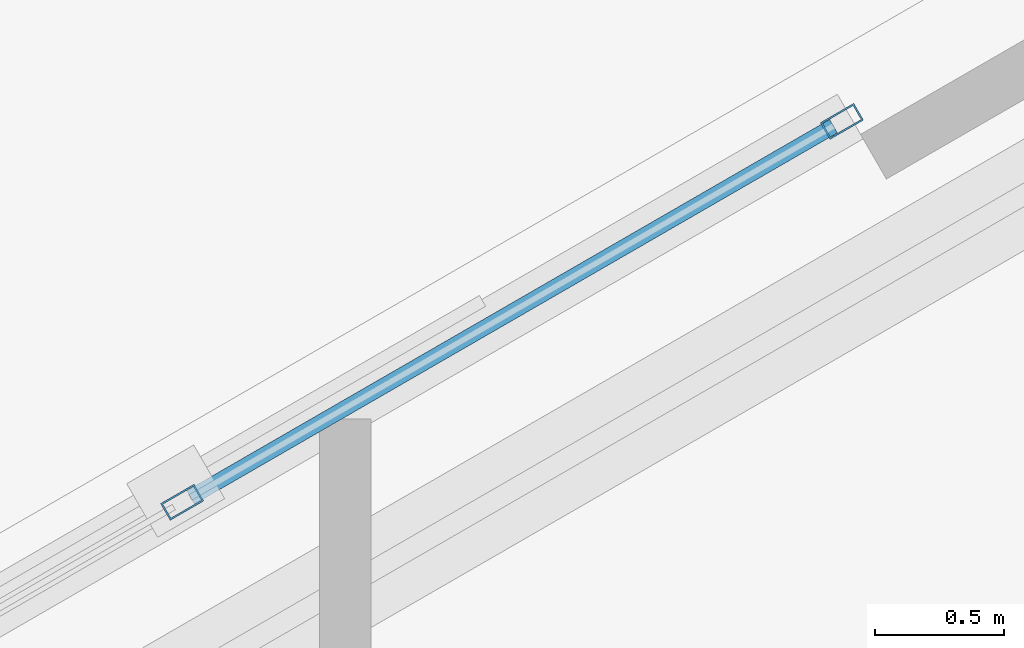
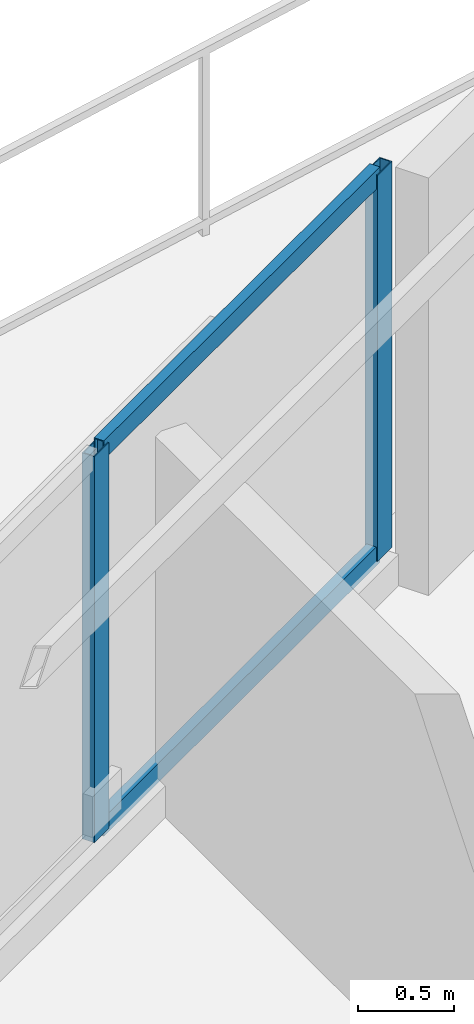
# One storey, part 9 of 18: 4 members, 1 element without a shape of its own.
"""IFC4 building model written with IfcOpenShell, lengths in metres."""

import ifcopenshell
import ifcopenshell.guid

model = None  # the IFC model being written
_history = None  # IfcOwnerHistory: only IFC2X3 demands one
_inside = {}  # id of a spatial element -> (the spatial element, [elements in it])
_under = {}  # id of a project, library or spatial element -> (it, [spatial elements below it])
_declared = {}  # id of a project -> (the project, [libraries it declares])
_typed = {}  # id of a type object -> (the type object, [elements of that type])
_made_of = {}  # id of a material, layer set ... -> (it, [elements and type objects made of it])


def new_model(schema):
    """Start an empty IFC model of exactly this schema.

    Asked for "IFC4X3", IfcOpenShell would pick the latest addendum, in which some entities
    have other attributes; the version numbers below select the first issue.
    IFC2X3 requires an IfcOwnerHistory on every rooted entity: one is made here for all.
    """
    global model, _history
    if schema == "IFC4X3":
        model = ifcopenshell.file(schema_version=(4, 3, 0, 0))
    else:
        model = ifcopenshell.file(schema=schema)
    _inside.clear()
    _under.clear()
    _declared.clear()
    _typed.clear()
    _made_of.clear()
    _history = None
    if model.schema == "IFC2X3":
        org = make("IfcOrganization", Name="unknown")
        user = make(
            "IfcPersonAndOrganization",
            ThePerson=make("IfcPerson", FamilyName="unknown"),
            TheOrganization=org,
        )
        app = make(
            "IfcApplication",
            ApplicationDeveloper=org,
            Version="unknown",
            ApplicationFullName="unknown",
            ApplicationIdentifier="unknown",
        )
        _history = make(
            "IfcOwnerHistory",
            OwningUser=user,
            OwningApplication=app,
            ChangeAction="ADDED",
            CreationDate=0,
        )
    return model


def make(cls, **values):
    """One entity of the class cls with the attributes given. An attribute that is None is left unset."""
    return model.create_entity(
        cls, **{name: value for name, value in values.items() if value is not None}
    )


def rooted(cls, **values):
    """An entity with a GlobalId (a new one), such as an element, a storey or a relation."""
    return make(cls, GlobalId=ifcopenshell.guid.new(), OwnerHistory=_history, **values)


def si_unit(unit_type, name, prefix=None):
    """IfcSIUnit, for example si_unit("LENGTHUNIT", "METRE", prefix="MILLI")."""
    return make("IfcSIUnit", UnitType=unit_type, Prefix=prefix, Name=name)


def assignment(units):
    """IfcUnitAssignment: the units of a project."""
    return None if units is None else make("IfcUnitAssignment", Units=units)


def point(xyz):
    """IfcCartesianPoint."""
    return None if xyz is None else make("IfcCartesianPoint", Coordinates=xyz)


def direction(xyz):
    """IfcDirection."""
    return None if xyz is None else make("IfcDirection", DirectionRatios=xyz)


def frame(location, z_axis=None, x_axis=None):
    """IfcAxis2Placement3D, a coordinate frame: its origin and axes. An axis left out is left unset."""
    return make(
        "IfcAxis2Placement3D",
        Location=point(location),
        Axis=direction(z_axis),
        RefDirection=direction(x_axis),
    )


def frame_2d(location, x_axis=None):
    """IfcAxis2Placement2D, a coordinate frame in the plane: its origin and x axis."""
    return make(
        "IfcAxis2Placement2D", Location=point(location), RefDirection=direction(x_axis)
    )


def origin():
    """The frame at (0, 0, 0) with its axes left unset."""
    return frame((0.0, 0.0, 0.0))


def origin_2d():
    """The frame at (0, 0) in the plane with its x axis left unset."""
    return frame_2d((0.0, 0.0))


def place(relative_to, where):
    """IfcLocalPlacement: puts the frame where relative to a parent placement (None: the world)."""
    return make(
        "IfcLocalPlacement", PlacementRelTo=relative_to, RelativePlacement=where
    )


def context(
    kind, dimensions, precision=None, world=None, true_north=None, identifier=None
):
    """IfcGeometricRepresentationContext, for example the 3D "Model" context."""
    return make(
        "IfcGeometricRepresentationContext",
        ContextIdentifier=identifier,
        ContextType=kind,
        CoordinateSpaceDimension=dimensions,
        Precision=precision,
        WorldCoordinateSystem=world,
        TrueNorth=true_north,
    )


def subcontext(parent, identifier, kind, view, scale=None):
    """IfcGeometricRepresentationSubContext, for example "Body" below "Model"."""
    return make(
        "IfcGeometricRepresentationSubContext",
        ContextIdentifier=identifier,
        ContextType=kind,
        ParentContext=parent,
        TargetScale=scale,
        TargetView=view,
    )


def project(units=None, contexts=None):
    """IfcProject with its units and contexts."""
    return rooted(
        "IfcProject",
        Name="project",
        RepresentationContexts=contexts,
        UnitsInContext=assignment(units),
    )


def spatial(cls, under=None, at=None, **own):
    """A site, building, storey or space (cls), placed at a placement, below another one or the project."""
    s = rooted(cls, ObjectPlacement=at, **own)
    if under is not None:
        _under.setdefault(under.id(), (under, []))[1].append(s)
    return s


def profile(cls, at=None, kind="AREA", **sizes):
    """A parametric profile (cls). Its sizes go by their IFC names, for example OverallWidth=200.0."""
    return make(cls, ProfileType=kind, Position=at, **sizes)


def hollow_rectangle(**sizes):
    """IfcRectangleHollowProfileDef."""
    return profile("IfcRectangleHollowProfileDef", **sizes)


def extrude(swept, where, along, depth):
    """IfcExtrudedAreaSolid: the profile swept, set in the frame where, extruded along a direction by depth."""
    return make(
        "IfcExtrudedAreaSolid",
        SweptArea=swept,
        Position=where,
        ExtrudedDirection=direction(along),
        Depth=depth,
    )


def shape(context_of_items, identifier, shape_type, items):
    """IfcShapeRepresentation: the items that make up one representation, for example the "Body"."""
    return make(
        "IfcShapeRepresentation",
        ContextOfItems=context_of_items,
        RepresentationIdentifier=identifier,
        RepresentationType=shape_type,
        Items=items,
    )


def material(Name=None, Category=None):
    """IfcMaterial."""
    return make("IfcMaterial", Name=Name, Category=Category)


def layer(
    of_material, thickness, ventilated=None, Name=None, Category=None, Priority=None
):
    """IfcMaterialLayer: one layer of a wall or slab, of a material (None: an air gap)."""
    return make(
        "IfcMaterialLayer",
        Material=of_material,
        LayerThickness=thickness,
        IsVentilated=ventilated,
        Name=Name,
        Category=Category,
        Priority=Priority,
    )


def layer_set(layers, Name=None):
    """IfcMaterialLayerSet."""
    return make("IfcMaterialLayerSet", MaterialLayers=layers, LayerSetName=Name)


def material_profile(
    of_material, cross_section, Name=None, Category=None, Priority=None
):
    """IfcMaterialProfile: a cross section and its material."""
    return make(
        "IfcMaterialProfile",
        Name=Name,
        Material=of_material,
        Profile=cross_section,
        Priority=Priority,
        Category=Category,
    )


def profile_set(profiles, Name=None, composite=None):
    """IfcMaterialProfileSet."""
    return make(
        "IfcMaterialProfileSet",
        Name=Name,
        MaterialProfiles=profiles,
        CompositeProfile=composite,
    )


def made_of(thing, what):
    """Note that an element or type object is made of a material, layer set ...; save() writes the relation."""
    if what is not None:
        _made_of.setdefault(what.id(), (what, []))[1].append(thing)
    return thing


def type_object(cls, material=None, **own):
    """A type object (cls), such as IfcWallType, which elements share."""
    return made_of(rooted(cls, **own), material)


def element(
    cls,
    number,
    at=None,
    inside=None,
    cuts=None,
    type_object=None,
    material=None,
    context=None,
    identifier="Body",
    shape_type=None,
    held_by="IfcProductDefinitionShape",
    body=None,
    shapes=None,
    **own,
):
    """One element of the class cls, such as IfcWall. Its Tag is "e" and its number.

    at: its placement. inside: the storey or other place that contains it. cuts: it is an
    opening in that element (IfcRelVoidsElement). A single representation is given by context,
    identifier, shape_type and body (its items); several are given by shapes. held_by: the class
    of the entity that holds the representations. save() writes the other relations.
    """
    e = rooted(cls, Tag="e%d" % number, ObjectPlacement=at, **own)
    if body is not None:
        shapes = [shape(context, identifier, shape_type, body)]
    if shapes is not None:
        e.Representation = make(held_by, Representations=shapes)
    if inside is not None:
        _inside.setdefault(inside.id(), (inside, []))[1].append(e)
    if cuts is not None:
        rooted(
            "IfcRelVoidsElement", RelatingBuildingElement=cuts, RelatedOpeningElement=e
        )
    if type_object is not None:
        _typed.setdefault(type_object.id(), (type_object, []))[1].append(e)
    return made_of(e, material)


def aggregate(whole, parts):
    """IfcRelAggregates: a whole, such as a stair, and the parts it consists of."""
    return rooted("IfcRelAggregates", RelatingObject=whole, RelatedObjects=parts)


def save(model, path):
    """Write the relations noted so far, then the file.

    IfcRelAggregates (storeys below a building ...), IfcRelContainedInSpatialStructure (elements
    in a storey), IfcRelDefinesByType, IfcRelAssociatesMaterial and IfcRelDeclares: one each for
    every whole, place, type object, material and project.
    """
    for whole, parts in _under.values():
        aggregate(whole, parts)
    for where, things in _inside.values():
        rooted(
            "IfcRelContainedInSpatialStructure",
            RelatedElements=things,
            RelatingStructure=where,
        )
    for kind, things in _typed.values():
        rooted("IfcRelDefinesByType", RelatedObjects=things, RelatingType=kind)
    for what, things in _made_of.values():
        rooted("IfcRelAssociatesMaterial", RelatedObjects=things, RelatingMaterial=what)
    for by, libraries in _declared.values():
        rooted("IfcRelDeclares", RelatingContext=by, RelatedDefinitions=libraries)
    model.write(path)


model = new_model("IFC4")

# Units and contexts
model_context = context("Model", 3, precision=1e-05, world=origin(), true_north=direction((0.0, 1.0)))
body_context = subcontext(model_context, "Body", "Model", "MODEL_VIEW")
ifc_project = project(units=[si_unit("LENGTHUNIT", "METRE"), si_unit("AREAUNIT", "SQUARE_METRE"), si_unit("VOLUMEUNIT", "CUBIC_METRE"), si_unit("PLANEANGLEUNIT", "RADIAN"), si_unit("MASSUNIT", "GRAM", prefix="KILO")], contexts=[model_context])

# Site, building, storey
site_placement = place(None, origin())
site = spatial("IfcSite", under=ifc_project, at=site_placement, CompositionType="ELEMENT")
building_placement = place(site_placement, origin())
building = spatial("IfcBuilding", under=site, at=building_placement, Name="Mersakhor Tower and Convention Hall", CompositionType="ELEMENT")
storey_placement = place(building_placement, frame((0.0, 0.0, 52.199951171875)))
storey = spatial("IfcBuildingStorey", under=building, at=storey_placement, Name="L14", CompositionType="ELEMENT", Elevation=52.199951171875)

# Curtain wall, members
ifc_material_1 = material(Name="Dark solar low-E aluminium curtain wall", Category="aluminium")
ifc_layer = layer(ifc_material_1, 0.159912109375)
ifc_layer_set = layer_set([ifc_layer], Name="Dark solar low-E aluminium curtain wall")
curtain_wall_type = type_object("IfcCurtainWallType", Name="CW-SYS-01", PredefinedType="USERDEFINED", material=ifc_layer_set)
curtain_wall_placement = place(storey_placement, origin())
curtain_wall = element("IfcCurtainWall", 1, at=curtain_wall_placement, inside=storey, type_object=curtain_wall_type, Name="L14 Dark-Glass Curtain Wall F1-B2", ObjectType="CURTAIN WALL", PredefinedType="USERDEFINED")
ifc_material_2 = material(Name="Anodised aluminium EN AW-6063 T6", Category="aluminium")
ifc_material_profile_1 = material_profile(ifc_material_2, hollow_rectangle(XDim=0.074951171875, YDim=0.14990234375, WallThickness=0.00634765625, at=origin_2d()), Name="RHS 150x75x6.3")
ifc_profile_set_1 = profile_set([ifc_material_profile_1], Name="Anodised aluminium EN AW-6063 T6")
member_type_1 = type_object("IfcMemberType", Name="CWM-150x75", PredefinedType="MULLION", material=ifc_profile_set_1)
member_1_placement = place(storey_placement, frame((24.167236328125, 41.107177734375, 0.199951171875), z_axis=(0.0, 0.0, 1.0), x_axis=(-0.50000344889, 0.866023412558, 0.0)))
member_1 = element("IfcMember", 2, at=member_1_placement, type_object=member_type_1, Name="CW-01 mullion 4", PredefinedType="MULLION", context=body_context, shape_type="SweptSolid", body=[
    extrude(hollow_rectangle(XDim=0.074951171875, YDim=0.14990234375, WallThickness=0.00634765625, at=origin_2d()), origin(), (0.0, 0.0, 1.0), 2.460205078125),
])
member_2_placement = place(storey_placement, frame((26.72705078125, 42.5849609375, 0.199951171875), z_axis=(0.0, 0.0, 1.0), x_axis=(-0.50000344889, 0.866023412558, 0.0)))
member_2 = element("IfcMember", 3, at=member_2_placement, type_object=member_type_1, Name="CW-01 mullion 5", PredefinedType="MULLION", context=body_context, shape_type="SweptSolid", body=[
    extrude(hollow_rectangle(XDim=0.074951171875, YDim=0.14990234375, WallThickness=0.00634765625, at=origin_2d()), origin(), (0.0, 0.0, 1.0), 2.460205078125),
])
ifc_material_3 = material(Name="Anodised aluminium EN AW-6063 T6", Category="aluminium")
ifc_material_profile_2 = material_profile(ifc_material_3, hollow_rectangle(XDim=0.06005859375, YDim=0.1201171875, WallThickness=0.0048828125, at=origin_2d()), Name="RHS 120x60x5")
ifc_profile_set_2 = profile_set([ifc_material_profile_2], Name="Anodised aluminium EN AW-6063 T6")
member_type_2 = type_object("IfcMemberType", Name="CWT-120x60", PredefinedType="USERDEFINED", material=ifc_profile_set_2)
member_3_placement = place(storey_placement, frame((24.19970703125, 41.1259765625, 0.22998046875), z_axis=(0.866023290103, 0.500003660985, 0.0), x_axis=(-0.500003660985, 0.866023290103, 0.0)))
member_3 = element("IfcMember", 4, at=member_3_placement, type_object=member_type_2, Name="CW-01 transom 4.1", ObjectType="TRANSOM", PredefinedType="USERDEFINED", context=body_context, shape_type="SweptSolid", body=[
    extrude(hollow_rectangle(XDim=0.06005859375, YDim=0.1201171875, WallThickness=0.0048828125, at=origin_2d()), origin(), (0.0, 0.0, 1.0), 2.880859375),
])
member_4_placement = place(storey_placement, frame((24.19970703125, 41.1259765625, 2.630126953125), z_axis=(0.866023290103, 0.500003660985, 0.0), x_axis=(-0.500003660985, 0.866023290103, 0.0)))
member_4 = element("IfcMember", 5, at=member_4_placement, type_object=member_type_2, Name="CW-01 transom 4.2", ObjectType="TRANSOM", PredefinedType="USERDEFINED", context=body_context, shape_type="SweptSolid", body=[
    extrude(hollow_rectangle(XDim=0.06005859375, YDim=0.1201171875, WallThickness=0.0048828125, at=origin_2d()), origin(), (0.0, 0.0, 1.0), 2.880859375),
])
aggregate(curtain_wall, [member_1, member_2, member_3, member_4])

save(model, "model.ifc")
